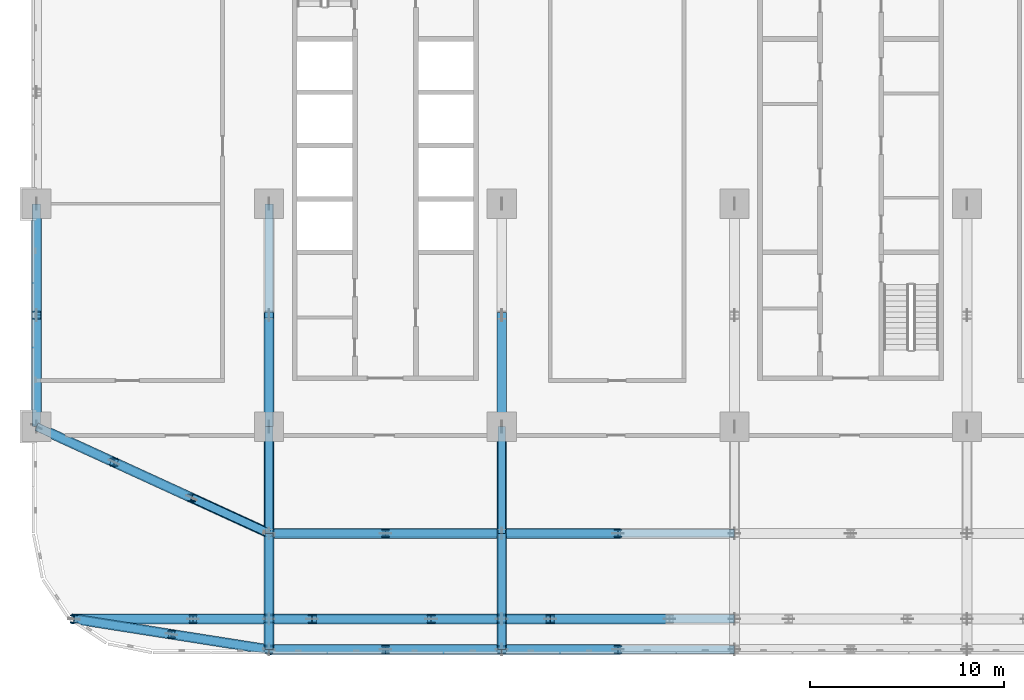
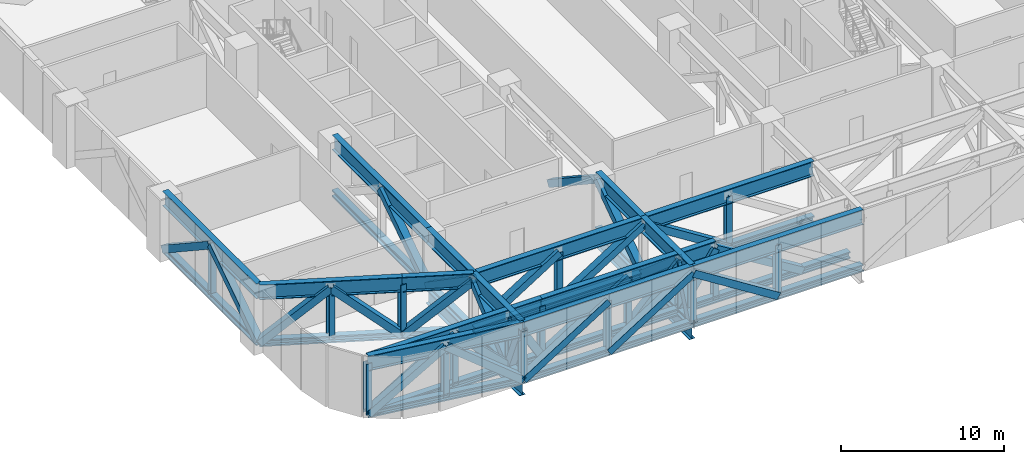
# One storey, part 3 of 26: 76 members, 4 beams.
"""IFC4 building model written with IfcOpenShell, lengths in metres."""

from ifc_helpers import new_model, si_unit, direction, frame, origin, origin_2d, place, context, subcontext, project, spatial, hollow_rectangle, i_section, extrude, material, material_profile, profile_set, type_object, element, save


model = new_model("IFC4")

# Units and contexts
model_context = context("Model", 3, precision=1e-05, world=origin(), true_north=direction((0.0, 1.0)))
body_context = subcontext(model_context, "Body", "Model", "MODEL_VIEW")
ifc_project = project(units=[si_unit("LENGTHUNIT", "METRE"), si_unit("AREAUNIT", "SQUARE_METRE"), si_unit("VOLUMEUNIT", "CUBIC_METRE"), si_unit("PLANEANGLEUNIT", "RADIAN"), si_unit("MASSUNIT", "GRAM", prefix="KILO")], contexts=[model_context])

# Site, building, storey
site_placement = place(None, origin())
site = spatial("IfcSite", under=ifc_project, at=site_placement, CompositionType="ELEMENT")
building_placement = place(site_placement, origin())
building = spatial("IfcBuilding", under=site, at=building_placement, Name="Mahtab Terrace Research Tower", CompositionType="ELEMENT")
storey_placement = place(building_placement, frame((0.0, 0.0, 80.39990234375)))
storey = spatial("IfcBuildingStorey", under=building, at=storey_placement, Name="L18", CompositionType="ELEMENT", Elevation=80.39990234375)

# Members
ifc_material_1 = material(Name="Steel ASTM A500 Gr C", Category="steel")
ifc_material_profile_1 = material_profile(ifc_material_1, hollow_rectangle(XDim=0.508056640625, YDim=0.508056640625, WallThickness=0.01904296875, at=origin_2d()), Name="HSS20X20X3/4")
ifc_profile_set_1 = profile_set([ifc_material_profile_1], Name="Steel ASTM A500 Gr C")
member_type_1 = type_object("IfcMemberType", Name="HSS 20x20x3/4 brace TD202034", PredefinedType="BRACE", material=ifc_profile_set_1)
member_1_placement = place(storey_placement, frame((-42.0, -11.5, -0.29345703125), z_axis=(0.688433521991, -0.315476006049, 0.653095839374), x_axis=(0.416593570775, 0.909092842777, 0.0)))
element("IfcMember", 1, at=member_1_placement, inside=storey, type_object=member_type_1, Name="Transfer truss T2 diagonal 001", PredefinedType="BRACE", context=body_context, shape_type="SweptSolid", body=[
    extrude(hollow_rectangle(XDim=0.508056640625, YDim=0.508056640625, WallThickness=0.01904296875, at=origin_2d()), origin(), (0.0, 0.0, 1.0), 5.810302734375),
])
for number, where, z_axis, x_axis, name in (
    (2, (-42.0, -11.5, -0.29345703125), (0.0, 0.834630911502, 0.550809623704), (-1.0, 0.0, 0.0), "Transfer truss T2 diagonal 002"),
    (3, (-42.0, 0.0, -0.29345703125), (0.0, -0.834630911502, 0.550809623704), (1.0, 0.0, 0.0), "Transfer truss T2 diagonal 003"),
):
    element("IfcMember", number, at=place(storey_placement, frame(where, z_axis=z_axis, x_axis=x_axis)), inside=storey, type_object=member_type_1, Name=name, PredefinedType="BRACE", context=body_context, shape_type="SweptSolid", body=[
        extrude(hollow_rectangle(XDim=0.508056640625, YDim=0.508056640625, WallThickness=0.01904296875, at=origin_2d()), origin(), (0.0, 0.0, 1.0), 6.88916015625),
    ])
member_2_placement = place(storey_placement, frame((-40.06201171875, -21.416015625, -0.29345703125), z_axis=(0.850733959418, 0.0, 0.525596547072), x_axis=(0.0, 1.0, 0.0)))
element("IfcMember", 4, at=member_2_placement, inside=storey, type_object=member_type_1, Name="Transfer truss T2 diagonal 009", PredefinedType="BRACE", context=body_context, shape_type="SweptSolid", body=[
    extrude(hollow_rectangle(XDim=0.508056640625, YDim=0.508056640625, WallThickness=0.01904296875, at=origin_2d()), origin(), (0.0, 0.0, 1.0), 7.2197265625),
])
member_3_placement = place(storey_placement, frame((-34.0, -15.1669921875, -0.29345703125), z_axis=(-0.688397012016, 0.315627340959, 0.653061203477), x_axis=(-0.41677697297, -0.909008775976, 0.0)))
element("IfcMember", 5, at=member_3_placement, inside=storey, type_object=member_type_1, Name="Transfer truss T2 diagonal 010", PredefinedType="BRACE", context=body_context, shape_type="SweptSolid", body=[
    extrude(hollow_rectangle(XDim=0.508056640625, YDim=0.508056640625, WallThickness=0.01904296875, at=origin_2d()), origin(), (0.0, 0.0, 1.0), 5.810546875),
])
member_4_placement = place(storey_placement, frame((-40.06201171875, -21.416015625, -0.29345703125), z_axis=(0.79213361986, -0.124699444986, 0.597473327194), x_axis=(0.155507156777, 0.987834765632, 0.0)))
element("IfcMember", 6, at=member_4_placement, inside=storey, type_object=member_type_1, Name="Transfer truss T2 diagonal 012", PredefinedType="BRACE", context=body_context, shape_type="SweptSolid", body=[
    extrude(hollow_rectangle(XDim=0.508056640625, YDim=0.508056640625, WallThickness=0.01904296875, at=origin_2d()), origin(), (0.0, 0.0, 1.0), 6.351318359375),
])
member_5_placement = place(storey_placement, frame((-34.0, -15.1669921875, -0.29345703125), z_axis=(0.688433521991, -0.315476006049, 0.653095839374), x_axis=(0.416593570775, 0.909092842777, 0.0)))
element("IfcMember", 7, at=member_5_placement, inside=storey, type_object=member_type_1, Name="Transfer truss T2 diagonal 013", PredefinedType="BRACE", context=body_context, shape_type="SweptSolid", body=[
    extrude(hollow_rectangle(XDim=0.508056640625, YDim=0.508056640625, WallThickness=0.01904296875, at=origin_2d()), origin(), (0.0, 0.0, 1.0), 5.810302734375),
])
member_6_placement = place(storey_placement, frame((-30.0, -21.416015625, -0.29345703125), z_axis=(-0.718491762792, 0.0, 0.69553546768), x_axis=(0.0, -1.0, 0.0)))
element("IfcMember", 8, at=member_6_placement, inside=storey, type_object=member_type_1, Name="Transfer truss T2 diagonal 014", PredefinedType="BRACE", context=body_context, shape_type="SweptSolid", body=[
    extrude(hollow_rectangle(XDim=0.508056640625, YDim=0.508056640625, WallThickness=0.01904296875, at=origin_2d()), origin(), (0.0, 0.0, 1.0), 5.455810546875),
])
member_7_placement = place(storey_placement, frame((-30.0, -23.0, -0.29345703125), z_axis=(-0.79213361986, 0.124699444986, 0.597473327194), x_axis=(-0.155507156777, -0.987834765632, 0.0)))
element("IfcMember", 9, at=member_7_placement, inside=storey, type_object=member_type_1, Name="Transfer truss T2 diagonal 015", PredefinedType="BRACE", context=body_context, shape_type="SweptSolid", body=[
    extrude(hollow_rectangle(XDim=0.508056640625, YDim=0.508056640625, WallThickness=0.01904296875, at=origin_2d()), origin(), (0.0, 0.0, 1.0), 6.351318359375),
])
member_8_placement = place(storey_placement, frame((-30.0, -21.416015625, -0.29345703125), z_axis=(0.0, -0.385209733972, 0.922829052887), x_axis=(1.0, 0.0, 0.0)))
element("IfcMember", 10, at=member_8_placement, inside=storey, type_object=member_type_1, Name="Transfer truss T2 diagonal 016", PredefinedType="BRACE", context=body_context, shape_type="SweptSolid", body=[
    extrude(hollow_rectangle(XDim=0.508056640625, YDim=0.508056640625, WallThickness=0.01904296875, at=origin_2d()), origin(), (0.0, 0.0, 1.0), 4.112060546875),
])
member_9_placement = place(storey_placement, frame((-30.0, -21.416015625, -0.29345703125), z_axis=(0.0, 0.75844798203, 0.651733579428), x_axis=(-1.0, 0.0, 0.0)))
element("IfcMember", 11, at=member_9_placement, inside=storey, type_object=member_type_1, Name="Transfer truss T2 diagonal 017", PredefinedType="BRACE", context=body_context, shape_type="SweptSolid", body=[
    extrude(hollow_rectangle(XDim=0.508056640625, YDim=0.508056640625, WallThickness=0.01904296875, at=origin_2d()), origin(), (0.0, 0.0, 1.0), 5.822509765625),
])
member_10_placement = place(storey_placement, frame((-27.779052734375, -21.416015625, -0.29345703125), z_axis=(-0.505123723322, 0.0, 0.863046942024), x_axis=(0.0, -1.0, 0.0)))
element("IfcMember", 12, at=member_10_placement, inside=storey, type_object=member_type_1, Name="Transfer truss T2 diagonal 018", PredefinedType="BRACE", context=body_context, shape_type="SweptSolid", body=[
    extrude(hollow_rectangle(XDim=0.508056640625, YDim=0.508056640625, WallThickness=0.01904296875, at=origin_2d()), origin(), (0.0, 0.0, 1.0), 4.396728515625),
])
member_11_placement = place(storey_placement, frame((-30.0, -17.0, -0.29345703125), z_axis=(0.845157783708, 0.0, 0.534516903978), x_axis=(0.0, 1.0, 0.0)))
element("IfcMember", 13, at=member_11_placement, inside=storey, type_object=member_type_1, Name="Transfer truss T2 diagonal 019", PredefinedType="BRACE", context=body_context, shape_type="SweptSolid", body=[
    extrude(hollow_rectangle(XDim=0.508056640625, YDim=0.508056640625, WallThickness=0.01904296875, at=origin_2d()), origin(), (0.0, 0.0, 1.0), 7.099365234375),
])
member_12_placement = place(storey_placement, frame((-30.0, -11.5, -0.29345703125), z_axis=(0.0, -0.82310265931, 0.567892606253), x_axis=(1.0, 0.0, 0.0)))
element("IfcMember", 14, at=member_12_placement, inside=storey, type_object=member_type_1, Name="Transfer truss T2 diagonal 020", PredefinedType="BRACE", context=body_context, shape_type="SweptSolid", body=[
    extrude(hollow_rectangle(XDim=0.508056640625, YDim=0.508056640625, WallThickness=0.01904296875, at=origin_2d()), origin(), (0.0, 0.0, 1.0), 6.68212890625),
])
member_13_placement = place(storey_placement, frame((-30.0, -11.5, -0.29345703125), z_axis=(0.0, 0.834630911502, 0.550809623704), x_axis=(-1.0, 0.0, 0.0)))
element("IfcMember", 15, at=member_13_placement, inside=storey, type_object=member_type_1, Name="Transfer truss T2 diagonal 021", PredefinedType="BRACE", context=body_context, shape_type="SweptSolid", body=[
    extrude(hollow_rectangle(XDim=0.508056640625, YDim=0.508056640625, WallThickness=0.01904296875, at=origin_2d()), origin(), (0.0, 0.0, 1.0), 6.88916015625),
])
member_14_placement = place(storey_placement, frame((-27.779052734375, -21.416015625, -0.29345703125), z_axis=(0.850733959418, 0.0, 0.525596547072), x_axis=(0.0, 1.0, 0.0)))
element("IfcMember", 16, at=member_14_placement, inside=storey, type_object=member_type_1, Name="Transfer truss T2 diagonal 027", PredefinedType="BRACE", context=body_context, shape_type="SweptSolid", body=[
    extrude(hollow_rectangle(XDim=0.508056640625, YDim=0.508056640625, WallThickness=0.01904296875, at=origin_2d()), origin(), (0.0, 0.0, 1.0), 7.2197265625),
])
for number, where, z_axis, x_axis, name in (
    (17, (-30.0, -23.0, -0.29345703125), (0.845157783708, 0.0, 0.534516903978), (0.0, 1.0, 0.0), "Transfer truss T2 diagonal 028"),
    (18, (-24.0, -17.0, -0.29345703125), (0.845157783708, 0.0, 0.534516903978), (0.0, 1.0, 0.0), "Transfer truss T2 diagonal 029"),
):
    element("IfcMember", number, at=place(storey_placement, frame(where, z_axis=z_axis, x_axis=x_axis)), inside=storey, type_object=member_type_1, Name=name, PredefinedType="BRACE", context=body_context, shape_type="SweptSolid", body=[
        extrude(hollow_rectangle(XDim=0.508056640625, YDim=0.508056640625, WallThickness=0.01904296875, at=origin_2d()), origin(), (0.0, 0.0, 1.0), 7.099365234375),
    ])
member_15_placement = place(storey_placement, frame((-21.636962890625, -21.416015625, -0.29345703125), z_axis=(0.6919447069, 0.0, 0.721950498714), x_axis=(0.0, 1.0, 0.0)))
element("IfcMember", 19, at=member_15_placement, inside=storey, type_object=member_type_1, Name="Transfer truss T2 diagonal 031", PredefinedType="BRACE", context=body_context, shape_type="SweptSolid", body=[
    extrude(hollow_rectangle(XDim=0.508056640625, YDim=0.508056640625, WallThickness=0.01904296875, at=origin_2d()), origin(), (0.0, 0.0, 1.0), 5.256103515625),
])
member_16_placement = place(storey_placement, frame((-24.0, -23.0, -0.29345703125), z_axis=(0.845157783708, 0.0, 0.534516903978), x_axis=(0.0, 1.0, 0.0)))
element("IfcMember", 20, at=member_16_placement, inside=storey, type_object=member_type_1, Name="Transfer truss T2 diagonal 032", PredefinedType="BRACE", context=body_context, shape_type="SweptSolid", body=[
    extrude(hollow_rectangle(XDim=0.508056640625, YDim=0.508056640625, WallThickness=0.01904296875, at=origin_2d()), origin(), (0.0, 0.0, 1.0), 7.099365234375),
])
member_17_placement = place(storey_placement, frame((-18.0, -23.0, -0.29345703125), z_axis=(0.0, 0.385209733972, 0.922829052887), x_axis=(-1.0, 0.0, 0.0)))
element("IfcMember", 21, at=member_17_placement, inside=storey, type_object=member_type_1, Name="Transfer truss T2 diagonal 033", PredefinedType="BRACE", context=body_context, shape_type="SweptSolid", body=[
    extrude(hollow_rectangle(XDim=0.508056640625, YDim=0.508056640625, WallThickness=0.01904296875, at=origin_2d()), origin(), (0.0, 0.0, 1.0), 4.112060546875),
])
member_18_placement = place(storey_placement, frame((-18.0, -17.0, -0.29345703125), z_axis=(0.0, -0.75844798203, 0.651733579428), x_axis=(1.0, 0.0, 0.0)))
element("IfcMember", 22, at=member_18_placement, inside=storey, type_object=member_type_1, Name="Transfer truss T2 diagonal 034", PredefinedType="BRACE", context=body_context, shape_type="SweptSolid", body=[
    extrude(hollow_rectangle(XDim=0.508056640625, YDim=0.508056640625, WallThickness=0.01904296875, at=origin_2d()), origin(), (0.0, 0.0, 1.0), 5.822509765625),
])
member_19_placement = place(storey_placement, frame((-18.0, -21.416015625, -0.29345703125), z_axis=(0.550753178039, 0.0, 0.834668159737), x_axis=(0.0, 1.0, 0.0)))
element("IfcMember", 23, at=member_19_placement, inside=storey, type_object=member_type_1, Name="Transfer truss T2 diagonal 035", PredefinedType="BRACE", context=body_context, shape_type="SweptSolid", body=[
    extrude(hollow_rectangle(XDim=0.508056640625, YDim=0.508056640625, WallThickness=0.01904296875, at=origin_2d()), origin(), (0.0, 0.0, 1.0), 4.54638671875),
])
member_20_placement = place(storey_placement, frame((-12.0, -17.0, -0.29345703125), z_axis=(-0.845157783708, 0.0, 0.534516903978), x_axis=(0.0, -1.0, 0.0)))
element("IfcMember", 24, at=member_20_placement, inside=storey, type_object=member_type_1, Name="Transfer truss T2 diagonal 036", PredefinedType="BRACE", context=body_context, shape_type="SweptSolid", body=[
    extrude(hollow_rectangle(XDim=0.508056640625, YDim=0.508056640625, WallThickness=0.01904296875, at=origin_2d()), origin(), (0.0, 0.0, 1.0), 7.099365234375),
])
member_21_placement = place(storey_placement, frame((-18.0, -17.0, -0.29345703125), z_axis=(0.0, 0.82310265931, 0.567892606253), x_axis=(-1.0, 0.0, 0.0)))
element("IfcMember", 25, at=member_21_placement, inside=storey, type_object=member_type_1, Name="Transfer truss T2 diagonal 037", PredefinedType="BRACE", context=body_context, shape_type="SweptSolid", body=[
    extrude(hollow_rectangle(XDim=0.508056640625, YDim=0.508056640625, WallThickness=0.01904296875, at=origin_2d()), origin(), (0.0, 0.0, 1.0), 6.68212890625),
])
member_22_placement = place(storey_placement, frame((-18.0, -5.75, -0.29345703125), z_axis=(0.0, -0.834630911502, 0.550809623704), x_axis=(1.0, 0.0, 0.0)))
element("IfcMember", 26, at=member_22_placement, inside=storey, type_object=member_type_1, Name="Transfer truss T2 diagonal 038", PredefinedType="BRACE", context=body_context, shape_type="SweptSolid", body=[
    extrude(hollow_rectangle(XDim=0.508056640625, YDim=0.508056640625, WallThickness=0.01904296875, at=origin_2d()), origin(), (0.0, 0.0, 1.0), 6.88916015625),
])
member_23_placement = place(storey_placement, frame((-9.35400390625, -21.416015625, -0.29345703125), z_axis=(-0.850733959418, 0.0, 0.525596547072), x_axis=(0.0, -1.0, 0.0)))
element("IfcMember", 27, at=member_23_placement, inside=storey, type_object=member_type_1, Name="Transfer truss T2 diagonal 044", PredefinedType="BRACE", context=body_context, shape_type="SweptSolid", body=[
    extrude(hollow_rectangle(XDim=0.508056640625, YDim=0.508056640625, WallThickness=0.01904296875, at=origin_2d()), origin(), (0.0, 0.0, 1.0), 7.2197265625),
])
member_24_placement = place(storey_placement, frame((-12.0, -23.0, -0.29345703125), z_axis=(-0.845157783708, 0.0, 0.534516903978), x_axis=(0.0, -1.0, 0.0)))
element("IfcMember", 28, at=member_24_placement, inside=storey, type_object=member_type_1, Name="Transfer truss T2 diagonal 045", PredefinedType="BRACE", context=body_context, shape_type="SweptSolid", body=[
    extrude(hollow_rectangle(XDim=0.508056640625, YDim=0.508056640625, WallThickness=0.01904296875, at=origin_2d()), origin(), (0.0, 0.0, 1.0), 7.099365234375),
])
ifc_material_2 = material(Name="Steel ASTM A992 Gr 50", Category="steel")
ifc_material_profile_2 = material_profile(ifc_material_2, i_section(OverallWidth=0.398681640625, OverallDepth=0.393798828125, WebThickness=0.022705078125, FlangeThickness=0.03662109375, at=origin_2d()), Name="W14X193")
ifc_profile_set_2 = profile_set([ifc_material_profile_2], Name="Steel ASTM A992 Gr 50")
member_type_2 = type_object("IfcMemberType", Name="W14x193 post TP14193", PredefinedType="POST", material=ifc_profile_set_2)
for number, where, z_axis, x_axis, name in (
    (29, (-42.0, -5.75, -0.29345703125), (0.0, 0.0, 1.0), (1.0, 0.0, 0.0), "Transfer truss T2 post 002"),
    (30, (-40.06005859375, -21.419921875, -0.29345703125), (0.0, 0.0, 1.0), (1.0, 0.0, 0.0), "Transfer truss T2 post 009"),
    (31, (-38.0, -13.330078125, -0.29345703125), (0.0, 0.0, 1.0), (1.0, 0.0, 0.0), "Transfer truss T2 post 010"),
    (32, (-35.030029296875, -22.2099609375, -0.29345703125), (0.0, 0.0, 1.0), (1.0, 0.0, 0.0), "Transfer truss T2 post 012"),
    (33, (-34.0, -15.169921875, -0.29345703125), (0.0, 0.0, 1.0), (1.0, 0.0, 0.0), "Transfer truss T2 post 013"),
    (34, (-33.919921875, -21.419921875, -0.29345703125), (0.0, 0.0, 1.0), (1.0, 0.0, 0.0), "Transfer truss T2 post 014"),
    (35, (-30.0, -23.0, -0.29345703125), (0.0, 0.0, 1.0), (1.0, 0.0, 0.0), "Transfer truss T2 post 015"),
    (36, (-30.0, -21.419921875, -0.29345703125), (0.0, 0.0, 1.0), (1.0, 0.0, 0.0), "Transfer truss T2 post 016"),
    (37, (-27.780029296875, -21.419921875, -0.29345703125), (0.0, 0.0, 1.0), (1.0, 0.0, 0.0), "Transfer truss T2 post 025"),
    (38, (-24.0, -23.0, -0.29345703125), (0.0, 0.0, 1.0), (1.0, 0.0, 0.0), "Transfer truss T2 post 026"),
    (39, (-24.0, -17.0, -0.29345703125), (0.0, 0.0, 1.0), (1.0, 0.0, 0.0), "Transfer truss T2 post 027"),
    (40, (-21.639892578125, -21.419921875, -0.29345703125), (0.0, 0.0, 1.0), (1.0, 0.0, 0.0), "Transfer truss T2 post 029"),
    (41, (-18.0, -23.0, -0.29345703125), (0.0, 0.0, 1.0), (1.0, 0.0, 0.0), "Transfer truss T2 post 030"),
    (42, (-18.0, -21.419921875, -0.29345703125), (0.0, 0.0, 1.0), (1.0, 0.0, 0.0), "Transfer truss T2 post 031"),
    (43, (-15.5, -21.419921875, -0.29345703125), (0.0, 0.0, 1.0), (1.0, 0.0, 0.0), "Transfer truss T2 post 040"),
    (44, (-12.0, -23.0, -0.29345703125), (0.0, 0.0, 1.0), (1.0, 0.0, 0.0), "Transfer truss T2 post 041"),
    (45, (-12.0, -17.0, -0.29345703125), (0.0, 0.0, 1.0), (1.0, 0.0, 0.0), "Transfer truss T2 post 042"),
):
    element("IfcMember", number, at=place(storey_placement, frame(where, z_axis=z_axis, x_axis=x_axis)), inside=storey, type_object=member_type_2, Name=name, PredefinedType="POST", context=body_context, shape_type="SweptSolid", body=[
        extrude(i_section(OverallWidth=0.398681640625, OverallDepth=0.393798828125, WebThickness=0.022705078125, FlangeThickness=0.03662109375, at=origin_2d()), origin(), (0.0, 0.0, 1.0), 3.794677734375),
    ])
ifc_material_profile_3 = material_profile(ifc_material_2, i_section(OverallWidth=0.43701171875, OverallDepth=0.51318359375, WebThickness=0.060546875, FlangeThickness=0.096923828125, at=origin_2d()), Name="W14X550")
ifc_profile_set_3 = profile_set([ifc_material_profile_3], Name="Steel ASTM A992 Gr 50")
member_type_3 = type_object("IfcMemberType", Name="W14x550 chord TC14550", PredefinedType="CHORD", material=ifc_profile_set_3)
member_25_placement = place(storey_placement, frame((-42.0, -11.5, -0.29345703125), z_axis=(0.909050812059, -0.416685278232, 0.0), x_axis=(0.416685278232, 0.909050812059, 0.0)))
element("IfcMember", 46, at=member_25_placement, inside=storey, type_object=member_type_3, Name="Transfer truss T2 bottom chord 001", PredefinedType="CHORD", context=body_context, shape_type="SweptSolid", body=[
    extrude(i_section(OverallWidth=0.43701171875, OverallDepth=0.51318359375, WebThickness=0.060546875, FlangeThickness=0.096923828125, at=origin_2d()), origin(), (0.0, 0.0, 1.0), 8.80029296875),
])
member_26_placement = place(storey_placement, frame((-34.0, -15.1669921875, -0.29345703125), z_axis=(0.909092842777, -0.416593570775, 0.0), x_axis=(0.416593570775, 0.909092842777, 0.0)))
element("IfcMember", 47, at=member_26_placement, inside=storey, type_object=member_type_3, Name="Transfer truss T2 bottom chord 002", PredefinedType="CHORD", context=body_context, shape_type="SweptSolid", body=[
    extrude(i_section(OverallWidth=0.43701171875, OverallDepth=0.51318359375, WebThickness=0.060546875, FlangeThickness=0.096923828125, at=origin_2d()), origin(), (0.0, 0.0, 1.0), 4.39990234375),
])
member_27_placement = place(storey_placement, frame((-42.0, 0.0, -0.29345703125), z_axis=(0.0, -1.0, 0.0), x_axis=(1.0, 0.0, 0.0)))
element("IfcMember", 48, at=member_27_placement, inside=storey, type_object=member_type_3, Name="Transfer truss T2 bottom chord 006", PredefinedType="CHORD", context=body_context, shape_type="SweptSolid", body=[
    extrude(i_section(OverallWidth=0.43701171875, OverallDepth=0.51318359375, WebThickness=0.060546875, FlangeThickness=0.096923828125, at=origin_2d()), origin(), (0.0, 0.0, 1.0), 11.5),
])
member_28_placement = place(storey_placement, frame((-40.06201171875, -21.416015625, -0.29345703125), z_axis=(1.0, 0.0, 0.0), x_axis=(0.0, 1.0, 0.0)))
element("IfcMember", 49, at=member_28_placement, inside=storey, type_object=member_type_3, Name="Transfer truss T2 bottom chord 009", PredefinedType="CHORD", context=body_context, shape_type="SweptSolid", body=[
    extrude(i_section(OverallWidth=0.43701171875, OverallDepth=0.51318359375, WebThickness=0.060546875, FlangeThickness=0.096923828125, at=origin_2d()), origin(), (0.0, 0.0, 1.0), 10.06201171875),
])
for number, where, z_axis, x_axis, name in (
    (50, (-30.0, -21.416015625, -0.29345703125), (1.0, 0.0, 0.0), (0.0, 1.0, 0.0), "Transfer truss T2 bottom chord 010"),
    (51, (-18.0, -21.416015625, -0.29345703125), (1.0, 0.0, 0.0), (0.0, 1.0, 0.0), "Transfer truss T2 bottom chord 011"),
):
    element("IfcMember", number, at=place(storey_placement, frame(where, z_axis=z_axis, x_axis=x_axis)), inside=storey, type_object=member_type_3, Name=name, PredefinedType="CHORD", context=body_context, shape_type="SweptSolid", body=[
        extrude(i_section(OverallWidth=0.43701171875, OverallDepth=0.51318359375, WebThickness=0.060546875, FlangeThickness=0.096923828125, at=origin_2d()), origin(), (0.0, 0.0, 1.0), 12.0),
    ])
member_29_placement = place(storey_placement, frame((-30.0, -23.0, -0.29345703125), z_axis=(-0.987834765632, 0.155507156777, 0.0), x_axis=(-0.155507156777, -0.987834765632, 0.0)))
element("IfcMember", 52, at=member_29_placement, inside=storey, type_object=member_type_3, Name="Transfer truss T2 bottom chord 017", PredefinedType="CHORD", context=body_context, shape_type="SweptSolid", body=[
    extrude(i_section(OverallWidth=0.43701171875, OverallDepth=0.51318359375, WebThickness=0.060546875, FlangeThickness=0.096923828125, at=origin_2d()), origin(), (0.0, 0.0, 1.0), 10.18603515625),
])
member_30_placement = place(storey_placement, frame((-30.0, -23.0, -0.29345703125), z_axis=(0.0, 1.0, 0.0), x_axis=(-1.0, 0.0, 0.0)))
element("IfcMember", 53, at=member_30_placement, inside=storey, type_object=member_type_3, Name="Transfer truss T2 bottom chord 018", PredefinedType="CHORD", context=body_context, shape_type="SweptSolid", body=[
    extrude(i_section(OverallWidth=0.43701171875, OverallDepth=0.51318359375, WebThickness=0.060546875, FlangeThickness=0.096923828125, at=origin_2d()), origin(), (0.0, 0.0, 1.0), 6.0),
])
member_31_placement = place(storey_placement, frame((-30.0, -17.0, -0.29345703125), z_axis=(0.0, 1.0, 0.0), x_axis=(-1.0, 0.0, 0.0)))
element("IfcMember", 54, at=member_31_placement, inside=storey, type_object=member_type_3, Name="Transfer truss T2 bottom chord 019", PredefinedType="CHORD", context=body_context, shape_type="SweptSolid", body=[
    extrude(i_section(OverallWidth=0.43701171875, OverallDepth=0.51318359375, WebThickness=0.060546875, FlangeThickness=0.096923828125, at=origin_2d()), origin(), (0.0, 0.0, 1.0), 5.5),
])
member_32_placement = place(storey_placement, frame((-30.0, -11.5, -0.29345703125), z_axis=(0.0, 1.0, 0.0), x_axis=(-1.0, 0.0, 0.0)))
element("IfcMember", 55, at=member_32_placement, inside=storey, type_object=member_type_3, Name="Transfer truss T2 bottom chord 020", PredefinedType="CHORD", context=body_context, shape_type="SweptSolid", body=[
    extrude(i_section(OverallWidth=0.43701171875, OverallDepth=0.51318359375, WebThickness=0.060546875, FlangeThickness=0.096923828125, at=origin_2d()), origin(), (0.0, 0.0, 1.0), 11.5),
])
for number, where, z_axis, x_axis, name in (
    (56, (-6.0, -23.0, -0.29345703125), (-1.0, 0.0, 0.0), (0.0, -1.0, 0.0), "Transfer truss T2 bottom chord 025"),
    (57, (-18.0, -23.0, -0.29345703125), (-1.0, 0.0, 0.0), (0.0, -1.0, 0.0), "Transfer truss T2 bottom chord 026"),
    (58, (-30.0, -17.0, -0.29345703125), (1.0, 0.0, 0.0), (0.0, 1.0, 0.0), "Transfer truss T2 bottom chord 027"),
    (59, (-18.0, -17.0, -0.29345703125), (1.0, 0.0, 0.0), (0.0, 1.0, 0.0), "Transfer truss T2 bottom chord 028"),
):
    element("IfcMember", number, at=place(storey_placement, frame(where, z_axis=z_axis, x_axis=x_axis)), inside=storey, type_object=member_type_3, Name=name, PredefinedType="CHORD", context=body_context, shape_type="SweptSolid", body=[
        extrude(i_section(OverallWidth=0.43701171875, OverallDepth=0.51318359375, WebThickness=0.060546875, FlangeThickness=0.096923828125, at=origin_2d()), origin(), (0.0, 0.0, 1.0), 12.0),
    ])
member_33_placement = place(storey_placement, frame((-18.0, -23.0, -0.29345703125), z_axis=(0.0, 1.0, 0.0), x_axis=(-1.0, 0.0, 0.0)))
element("IfcMember", 60, at=member_33_placement, inside=storey, type_object=member_type_3, Name="Transfer truss T2 bottom chord 041", PredefinedType="CHORD", context=body_context, shape_type="SweptSolid", body=[
    extrude(i_section(OverallWidth=0.43701171875, OverallDepth=0.51318359375, WebThickness=0.060546875, FlangeThickness=0.096923828125, at=origin_2d()), origin(), (0.0, 0.0, 1.0), 6.0),
])
member_34_placement = place(storey_placement, frame((-18.0, -17.0, -0.29345703125), z_axis=(0.0, 1.0, 0.0), x_axis=(-1.0, 0.0, 0.0)))
element("IfcMember", 61, at=member_34_placement, inside=storey, type_object=member_type_3, Name="Transfer truss T2 bottom chord 042", PredefinedType="CHORD", context=body_context, shape_type="SweptSolid", body=[
    extrude(i_section(OverallWidth=0.43701171875, OverallDepth=0.51318359375, WebThickness=0.060546875, FlangeThickness=0.096923828125, at=origin_2d()), origin(), (0.0, 0.0, 1.0), 5.5),
])

# Beams
ifc_material_profile_4 = material_profile(ifc_material_2, i_section(OverallWidth=0.4013671875, OverallDepth=1.000732421875, WebThickness=0.01904296875, FlangeThickness=0.0361328125, at=origin_2d()), Name="W40X249")
ifc_profile_set_4 = profile_set([ifc_material_profile_4], Name="Steel ASTM A992 Gr 50")
beam_type = type_object("IfcBeamType", Name="W40x249 transfer girder TG40249", PredefinedType="BEAM", material=ifc_profile_set_4)
beam_1_placement = place(storey_placement, frame((-30.0, -23.0, -1.04833984375), z_axis=(0.0, 1.0, 0.0), x_axis=(-1.0, 0.0, 0.0)))
element("IfcBeam", 62, at=beam_1_placement, inside=storey, type_object=beam_type, Name="Transfer girder T2 15", PredefinedType="BEAM", context=body_context, shape_type="SweptSolid", body=[
    extrude(i_section(OverallWidth=0.4013671875, OverallDepth=1.000732421875, WebThickness=0.01904296875, FlangeThickness=0.0361328125, at=origin_2d()), origin(), (0.0, 0.0, 1.0), 6.0),
])
beam_2_placement = place(storey_placement, frame((-30.0, -17.0, -1.04833984375), z_axis=(0.0, 1.0, 0.0), x_axis=(-1.0, 0.0, 0.0)))
element("IfcBeam", 63, at=beam_2_placement, inside=storey, type_object=beam_type, Name="Transfer girder T2 16", PredefinedType="BEAM", context=body_context, shape_type="SweptSolid", body=[
    extrude(i_section(OverallWidth=0.4013671875, OverallDepth=1.000732421875, WebThickness=0.01904296875, FlangeThickness=0.0361328125, at=origin_2d()), origin(), (0.0, 0.0, 1.0), 5.5),
])
beam_3_placement = place(storey_placement, frame((-18.0, -23.0, -1.04833984375), z_axis=(0.0, 1.0, 0.0), x_axis=(-1.0, 0.0, 0.0)))
element("IfcBeam", 64, at=beam_3_placement, inside=storey, type_object=beam_type, Name="Transfer girder T2 18", PredefinedType="BEAM", context=body_context, shape_type="SweptSolid", body=[
    extrude(i_section(OverallWidth=0.4013671875, OverallDepth=1.000732421875, WebThickness=0.01904296875, FlangeThickness=0.0361328125, at=origin_2d()), origin(), (0.0, 0.0, 1.0), 6.0),
])
beam_4_placement = place(storey_placement, frame((-18.0, -17.0, -1.04833984375), z_axis=(0.0, 1.0, 0.0), x_axis=(-1.0, 0.0, 0.0)))
element("IfcBeam", 65, at=beam_4_placement, inside=storey, type_object=beam_type, Name="Transfer girder T2 19", PredefinedType="BEAM", context=body_context, shape_type="SweptSolid", body=[
    extrude(i_section(OverallWidth=0.4013671875, OverallDepth=1.000732421875, WebThickness=0.01904296875, FlangeThickness=0.0361328125, at=origin_2d()), origin(), (0.0, 0.0, 1.0), 5.5),
])

# Members
ifc_material_profile_5 = material_profile(ifc_material_2, i_section(OverallWidth=0.40380859375, OverallDepth=1.11767578125, WebThickness=0.026123046875, FlangeThickness=0.044921875, at=origin_2d()), Name="W44X335")
ifc_profile_set_5 = profile_set([ifc_material_profile_5], Name="Steel ASTM A992 Gr 50")
member_type_4 = type_object("IfcMemberType", Name="W44x335 chord TT44335", PredefinedType="CHORD", material=ifc_profile_set_5)
member_35_placement = place(storey_placement, frame((-42.0, -11.5, 3.501220703125), z_axis=(0.909050812059, -0.416685278232, 0.0), x_axis=(0.416685278232, 0.909050812059, 0.0)))
element("IfcMember", 66, at=member_35_placement, inside=storey, type_object=member_type_4, Name="Transfer truss T2 top chord 001", PredefinedType="CHORD", context=body_context, shape_type="SweptSolid", body=[
    extrude(i_section(OverallWidth=0.40380859375, OverallDepth=1.11767578125, WebThickness=0.026123046875, FlangeThickness=0.044921875, at=origin_2d()), origin(), (0.0, 0.0, 1.0), 8.80029296875),
])
member_36_placement = place(storey_placement, frame((-34.0, -15.1669921875, 3.501220703125), z_axis=(0.909092842777, -0.416593570775, 0.0), x_axis=(0.416593570775, 0.909092842777, 0.0)))
element("IfcMember", 67, at=member_36_placement, inside=storey, type_object=member_type_4, Name="Transfer truss T2 top chord 002", PredefinedType="CHORD", context=body_context, shape_type="SweptSolid", body=[
    extrude(i_section(OverallWidth=0.40380859375, OverallDepth=1.11767578125, WebThickness=0.026123046875, FlangeThickness=0.044921875, at=origin_2d()), origin(), (0.0, 0.0, 1.0), 4.39990234375),
])
member_37_placement = place(storey_placement, frame((-42.0, 0.0, 3.501220703125), z_axis=(0.0, -1.0, 0.0), x_axis=(1.0, 0.0, 0.0)))
element("IfcMember", 68, at=member_37_placement, inside=storey, type_object=member_type_4, Name="Transfer truss T2 top chord 006", PredefinedType="CHORD", context=body_context, shape_type="SweptSolid", body=[
    extrude(i_section(OverallWidth=0.40380859375, OverallDepth=1.11767578125, WebThickness=0.026123046875, FlangeThickness=0.044921875, at=origin_2d()), origin(), (0.0, 0.0, 1.0), 11.5),
])
for number, where, z_axis, x_axis, name in (
    (69, (-40.06201171875, -21.416015625, 3.501220703125), (1.0, 0.0, 0.0), (0.0, 1.0, 0.0), "Transfer truss T2 top chord 008"),
    (70, (-27.779052734375, -21.416015625, 3.501220703125), (1.0, 0.0, 0.0), (0.0, 1.0, 0.0), "Transfer truss T2 top chord 009"),
):
    element("IfcMember", number, at=place(storey_placement, frame(where, z_axis=z_axis, x_axis=x_axis)), inside=storey, type_object=member_type_4, Name=name, PredefinedType="CHORD", context=body_context, shape_type="SweptSolid", body=[
        extrude(i_section(OverallWidth=0.40380859375, OverallDepth=1.11767578125, WebThickness=0.026123046875, FlangeThickness=0.044921875, at=origin_2d()), origin(), (0.0, 0.0, 1.0), 12.282958984375),
    ])
member_38_placement = place(storey_placement, frame((-30.0, -23.0, 3.501220703125), z_axis=(-0.987834765632, 0.155507156777, 0.0), x_axis=(-0.155507156777, -0.987834765632, 0.0)))
element("IfcMember", 71, at=member_38_placement, inside=storey, type_object=member_type_4, Name="Transfer truss T2 top chord 016", PredefinedType="CHORD", context=body_context, shape_type="SweptSolid", body=[
    extrude(i_section(OverallWidth=0.40380859375, OverallDepth=1.11767578125, WebThickness=0.026123046875, FlangeThickness=0.044921875, at=origin_2d()), origin(), (0.0, 0.0, 1.0), 10.18603515625),
])
member_39_placement = place(storey_placement, frame((-30.0, -23.0, 3.501220703125), z_axis=(0.0, 1.0, 0.0), x_axis=(-1.0, 0.0, 0.0)))
element("IfcMember", 72, at=member_39_placement, inside=storey, type_object=member_type_4, Name="Transfer truss T2 top chord 017", PredefinedType="CHORD", context=body_context, shape_type="SweptSolid", body=[
    extrude(i_section(OverallWidth=0.40380859375, OverallDepth=1.11767578125, WebThickness=0.026123046875, FlangeThickness=0.044921875, at=origin_2d()), origin(), (0.0, 0.0, 1.0), 6.0),
])
member_40_placement = place(storey_placement, frame((-30.0, -17.0, 3.501220703125), z_axis=(0.0, 1.0, 0.0), x_axis=(-1.0, 0.0, 0.0)))
element("IfcMember", 73, at=member_40_placement, inside=storey, type_object=member_type_4, Name="Transfer truss T2 top chord 018", PredefinedType="CHORD", context=body_context, shape_type="SweptSolid", body=[
    extrude(i_section(OverallWidth=0.40380859375, OverallDepth=1.11767578125, WebThickness=0.026123046875, FlangeThickness=0.044921875, at=origin_2d()), origin(), (0.0, 0.0, 1.0), 5.5),
])
member_41_placement = place(storey_placement, frame((-30.0, -11.5, 3.501220703125), z_axis=(0.0, 1.0, 0.0), x_axis=(-1.0, 0.0, 0.0)))
element("IfcMember", 74, at=member_41_placement, inside=storey, type_object=member_type_4, Name="Transfer truss T2 top chord 019", PredefinedType="CHORD", context=body_context, shape_type="SweptSolid", body=[
    extrude(i_section(OverallWidth=0.40380859375, OverallDepth=1.11767578125, WebThickness=0.026123046875, FlangeThickness=0.044921875, at=origin_2d()), origin(), (0.0, 0.0, 1.0), 11.5),
])
for number, where, z_axis, x_axis, name in (
    (75, (-6.0, -23.0, 3.501220703125), (-1.0, 0.0, 0.0), (0.0, -1.0, 0.0), "Transfer truss T2 top chord 024"),
    (76, (-18.0, -23.0, 3.501220703125), (-1.0, 0.0, 0.0), (0.0, -1.0, 0.0), "Transfer truss T2 top chord 025"),
    (77, (-30.0, -17.0, 3.501220703125), (1.0, 0.0, 0.0), (0.0, 1.0, 0.0), "Transfer truss T2 top chord 026"),
    (78, (-18.0, -17.0, 3.501220703125), (1.0, 0.0, 0.0), (0.0, 1.0, 0.0), "Transfer truss T2 top chord 027"),
):
    element("IfcMember", number, at=place(storey_placement, frame(where, z_axis=z_axis, x_axis=x_axis)), inside=storey, type_object=member_type_4, Name=name, PredefinedType="CHORD", context=body_context, shape_type="SweptSolid", body=[
        extrude(i_section(OverallWidth=0.40380859375, OverallDepth=1.11767578125, WebThickness=0.026123046875, FlangeThickness=0.044921875, at=origin_2d()), origin(), (0.0, 0.0, 1.0), 12.0),
    ])
member_42_placement = place(storey_placement, frame((-18.0, -23.0, 3.501220703125), z_axis=(0.0, 1.0, 0.0), x_axis=(-1.0, 0.0, 0.0)))
element("IfcMember", 79, at=member_42_placement, inside=storey, type_object=member_type_4, Name="Transfer truss T2 top chord 040", PredefinedType="CHORD", context=body_context, shape_type="SweptSolid", body=[
    extrude(i_section(OverallWidth=0.40380859375, OverallDepth=1.11767578125, WebThickness=0.026123046875, FlangeThickness=0.044921875, at=origin_2d()), origin(), (0.0, 0.0, 1.0), 6.0),
])
member_43_placement = place(storey_placement, frame((-18.0, -17.0, 3.501220703125), z_axis=(0.0, 1.0, 0.0), x_axis=(-1.0, 0.0, 0.0)))
element("IfcMember", 80, at=member_43_placement, inside=storey, type_object=member_type_4, Name="Transfer truss T2 top chord 041", PredefinedType="CHORD", context=body_context, shape_type="SweptSolid", body=[
    extrude(i_section(OverallWidth=0.40380859375, OverallDepth=1.11767578125, WebThickness=0.026123046875, FlangeThickness=0.044921875, at=origin_2d()), origin(), (0.0, 0.0, 1.0), 5.5),
])

save(model, "model.ifc")
